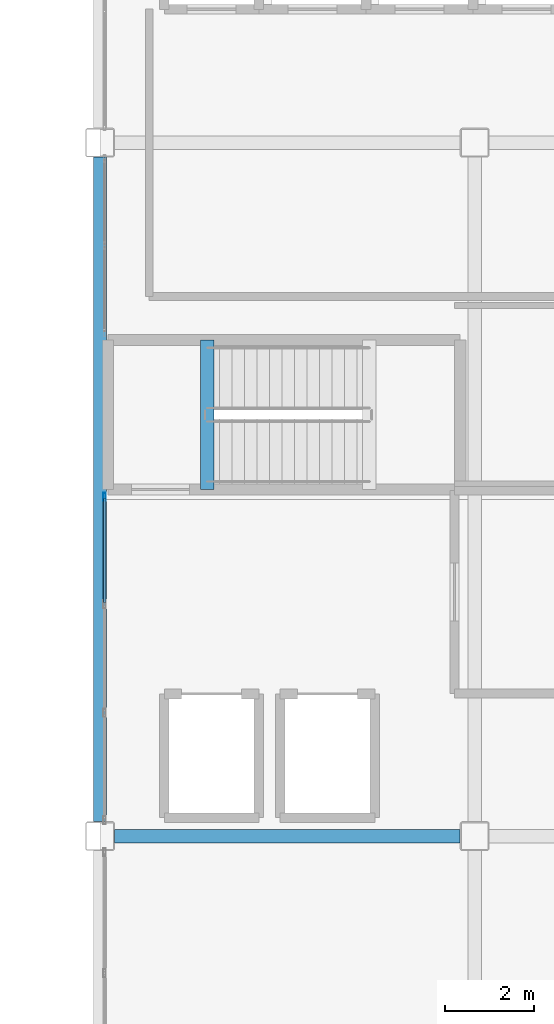
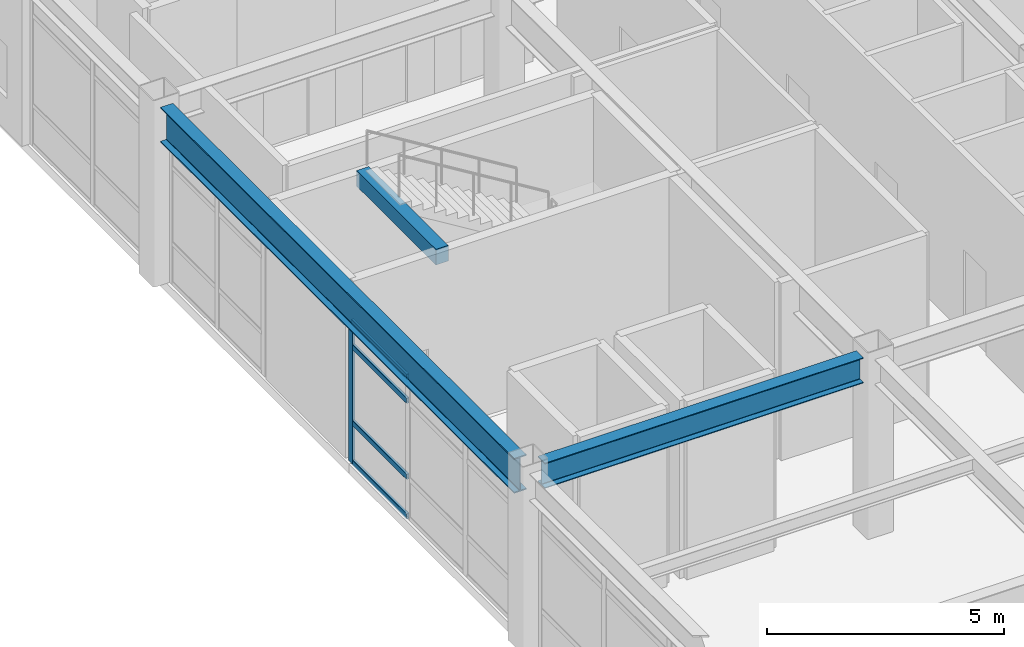
# One storey, part 26 of 61: 5 members, 3 beams, 1 element without a shape of its own.
"""IFC4 building model written with IfcOpenShell, lengths in metres."""

from ifc_helpers import new_model, si_unit, direction, frame, origin, origin_2d, place, context, subcontext, project, spatial, rectangle, hollow_rectangle, i_section, extrude, material, layer, layer_set, material_profile, profile_set, type_object, element, aggregate, save


model = new_model("IFC4")

# Units and contexts
model_context = context("Model", 3, precision=1e-05, world=origin(), true_north=direction((0.0, 1.0)))
body_context = subcontext(model_context, "Body", "Model", "MODEL_VIEW")
ifc_project = project(units=[si_unit("LENGTHUNIT", "METRE"), si_unit("AREAUNIT", "SQUARE_METRE"), si_unit("VOLUMEUNIT", "CUBIC_METRE"), si_unit("PLANEANGLEUNIT", "RADIAN"), si_unit("MASSUNIT", "GRAM", prefix="KILO")], contexts=[model_context])

# Site, building, storey
site_placement = place(None, origin())
site = spatial("IfcSite", under=ifc_project, at=site_placement, CompositionType="ELEMENT")
building_placement = place(site_placement, origin())
building = spatial("IfcBuilding", under=site, at=building_placement, Name="Kazehara Bluff Congress Hotel", CompositionType="ELEMENT")
storey_placement = place(building_placement, frame((0.0, 0.0, 19.800048828125)))
storey = spatial("IfcBuildingStorey", under=building, at=storey_placement, Name="L04", CompositionType="ELEMENT", Elevation=19.800048828125)

# Curtain wall, members
ifc_material_1 = material(Name="Anodised aluminium", Category="aluminium")
ifc_layer = layer(ifc_material_1, 0.159912109375)
ifc_layer_set = layer_set([ifc_layer], Name="Anodised aluminium")
curtain_wall_type = type_object("IfcCurtainWallType", Name="TP-CW-168", PredefinedType="NOTDEFINED", material=ifc_layer_set)
curtain_wall_placement = place(storey_placement, origin())
curtain_wall = element("IfcCurtainWall", 1, at=curtain_wall_placement, inside=storey, type_object=curtain_wall_type, Name="L04 curtain wall CW-168 CW-ENC-V5-L04-14380-4488", PredefinedType="NOTDEFINED")
ifc_material_2 = material(Name="Anodised aluminium", Category="aluminium")
ifc_material_profile_1 = material_profile(ifc_material_2, hollow_rectangle(XDim=0.06494140625, YDim=0.179931640625, WallThickness=0.00390625, InnerFilletRadius=0.00390625, OuterFilletRadius=0.008056640625, at=origin_2d()))
ifc_profile_set_1 = profile_set([ifc_material_profile_1], Name="Anodised aluminium")
member_type_1 = type_object("IfcMemberType", Name="TP-CWM-02", PredefinedType="MULLION", material=ifc_profile_set_1)
member_1_placement = place(storey_placement, frame((143.800048828125, 48.507568359375, 0.0), z_axis=(0.0, 0.0, 1.0), x_axis=(-1.0, 0.0, 0.0)))
member_1 = element("IfcMember", 2, at=member_1_placement, type_object=member_type_1, Name="CW-168 mullion 4", PredefinedType="MULLION", context=body_context, shape_type="SweptSolid", body=[
    extrude(hollow_rectangle(XDim=0.06494140625, YDim=0.179931640625, WallThickness=0.00390625, InnerFilletRadius=0.00390625, OuterFilletRadius=0.008056640625, at=origin_2d()), origin(), (0.0, 0.0, 1.0), 3.655029296875),
])
ifc_material_3 = material(Name="Anodised aluminium", Category="aluminium")
ifc_material_profile_2 = material_profile(ifc_material_3, hollow_rectangle(XDim=0.06494140625, YDim=0.139892578125, WallThickness=0.00390625, InnerFilletRadius=0.00390625, OuterFilletRadius=0.008056640625, at=origin_2d()))
ifc_profile_set_2 = profile_set([ifc_material_profile_2], Name="Anodised aluminium")
member_type_2 = type_object("IfcMemberType", Name="TP-CWT-02", PredefinedType="USERDEFINED", material=ifc_profile_set_2)
member_2_placement = place(storey_placement, frame((143.800048828125, 46.13427734375, 0.032470703125), z_axis=(0.0, 1.0, 0.0), x_axis=(-1.0, 0.0, 0.0)))
member_2 = element("IfcMember", 3, at=member_2_placement, type_object=member_type_2, Name="CW-168 transom 3.1", ObjectType="TRANSOM", PredefinedType="USERDEFINED", context=body_context, shape_type="SweptSolid", body=[
    extrude(hollow_rectangle(XDim=0.06494140625, YDim=0.139892578125, WallThickness=0.00390625, InnerFilletRadius=0.00390625, OuterFilletRadius=0.008056640625, at=origin_2d()), origin(), (0.0, 0.0, 1.0), 2.3408203125),
])
member_3_placement = place(storey_placement, frame((143.800048828125, 46.13427734375, 1.050048828125), z_axis=(0.0, 1.0, 0.0), x_axis=(-1.0, 0.0, 0.0)))
member_3 = element("IfcMember", 4, at=member_3_placement, type_object=member_type_2, Name="CW-168 transom 3.2", ObjectType="TRANSOM", PredefinedType="USERDEFINED", context=body_context, shape_type="SweptSolid", body=[
    extrude(hollow_rectangle(XDim=0.06494140625, YDim=0.139892578125, WallThickness=0.00390625, InnerFilletRadius=0.00390625, OuterFilletRadius=0.008056640625, at=origin_2d()), origin(), (0.0, 0.0, 1.0), 2.3408203125),
])
member_4_placement = place(storey_placement, frame((143.800048828125, 46.13427734375, 3.0048828125), z_axis=(0.0, 1.0, 0.0), x_axis=(-1.0, 0.0, 0.0)))
member_4 = element("IfcMember", 5, at=member_4_placement, type_object=member_type_2, Name="CW-168 transom 3.3", ObjectType="TRANSOM", PredefinedType="USERDEFINED", context=body_context, shape_type="SweptSolid", body=[
    extrude(hollow_rectangle(XDim=0.06494140625, YDim=0.139892578125, WallThickness=0.00390625, InnerFilletRadius=0.00390625, OuterFilletRadius=0.008056640625, at=origin_2d()), origin(), (0.0, 0.0, 1.0), 2.3408203125),
])
member_5_placement = place(storey_placement, frame((143.800048828125, 46.13427734375, 3.62255859375), z_axis=(0.0, 1.0, 0.0), x_axis=(-1.0, 0.0, 0.0)))
member_5 = element("IfcMember", 6, at=member_5_placement, type_object=member_type_2, Name="CW-168 transom 3.4", ObjectType="TRANSOM", PredefinedType="USERDEFINED", context=body_context, shape_type="SweptSolid", body=[
    extrude(hollow_rectangle(XDim=0.06494140625, YDim=0.139892578125, WallThickness=0.00390625, InnerFilletRadius=0.00390625, OuterFilletRadius=0.008056640625, at=origin_2d()), origin(), (0.0, 0.0, 1.0), 2.3408203125),
])
aggregate(curtain_wall, [member_1, member_2, member_3, member_4, member_5])

# Beams
ifc_material_4 = material(Name="Steel SN490B", Category="steel")
ifc_material_profile_3 = material_profile(ifc_material_4, i_section(OverallWidth=0.300048828125, OverallDepth=0.64990234375, WebThickness=0.011962890625, FlangeThickness=0.02001953125, FilletRadius=0.012939453125, at=origin_2d()))
ifc_profile_set_3 = profile_set([ifc_material_profile_3], Name="Steel SN490B")
beam_type_1 = type_object("IfcBeamType", Name="TP-G-03", PredefinedType="BEAM", material=ifc_profile_set_3)
beam_1_placement = place(storey_placement, frame((144.02490234375, 40.89990234375, 4.2548828125), z_axis=(1.0, 0.0, 0.0), x_axis=(0.0, 1.0, 0.0)))
element("IfcBeam", 7, at=beam_1_placement, inside=storey, type_object=beam_type_1, Name="L04 girder G-03 93", PredefinedType="BEAM", context=body_context, shape_type="SweptSolid", body=[
    extrude(i_section(OverallWidth=0.300048828125, OverallDepth=0.64990234375, WebThickness=0.011962890625, FlangeThickness=0.02001953125, FilletRadius=0.012939453125, at=origin_2d()), origin(), (0.0, 0.0, 1.0), 7.75),
])
ifc_material_5 = material(Name="Steel SN490B", Category="steel")
ifc_material_profile_4 = material_profile(ifc_material_5, i_section(OverallWidth=0.300048828125, OverallDepth=0.89990234375, WebThickness=0.01611328125, FlangeThickness=0.028076171875, FilletRadius=0.01806640625, at=origin_2d()))
ifc_profile_set_4 = profile_set([ifc_material_profile_4], Name="Steel SN490B")
beam_type_2 = type_object("IfcBeamType", Name="TP-G-08", PredefinedType="BEAM", material=ifc_profile_set_4)
beam_2_placement = place(storey_placement, frame((143.699951171875, 41.22509765625, 4.1298828125), z_axis=(0.0, 1.0, 0.0), x_axis=(-1.0, 0.0, 0.0)))
element("IfcBeam", 8, at=beam_2_placement, inside=storey, type_object=beam_type_2, Name="L04 girder G-08 36", PredefinedType="BEAM", context=body_context, shape_type="SweptSolid", body=[
    extrude(i_section(OverallWidth=0.300048828125, OverallDepth=0.89990234375, WebThickness=0.01611328125, FlangeThickness=0.028076171875, FilletRadius=0.01806640625, at=origin_2d()), origin(), (0.0, 0.0, 1.0), 14.89990234375),
])
ifc_material_6 = material(Name="Concrete C40/50", Category="concrete")
ifc_material_profile_5 = material_profile(ifc_material_6, rectangle(XDim=0.300048828125, YDim=0.39990234375, at=origin_2d()))
ifc_profile_set_5 = profile_set([ifc_material_profile_5], Name="Concrete C40/50")
beam_type_3 = type_object("IfcBeamType", Name="TP-LN-02", PredefinedType="LINTEL", material=ifc_profile_set_5)
beam_3_placement = place(storey_placement, frame((146.10009765625, 48.675048828125, 4.39990234375), z_axis=(0.0, 1.0, 0.0), x_axis=(-1.0, 0.0, 0.0)))
element("IfcBeam", 9, at=beam_3_placement, inside=storey, type_object=beam_type_3, Name="L05 ST-11 stairwell trimmer beam", PredefinedType="LINTEL", context=body_context, shape_type="SweptSolid", body=[
    extrude(rectangle(XDim=0.300048828125, YDim=0.39990234375, at=origin_2d()), origin(), (0.0, 0.0, 1.0), 3.349853515625),
])

save(model, "model.ifc")
